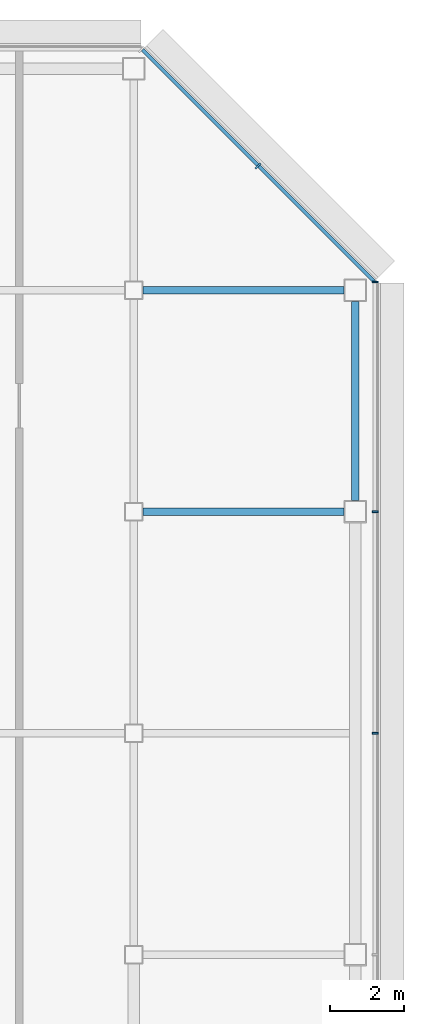
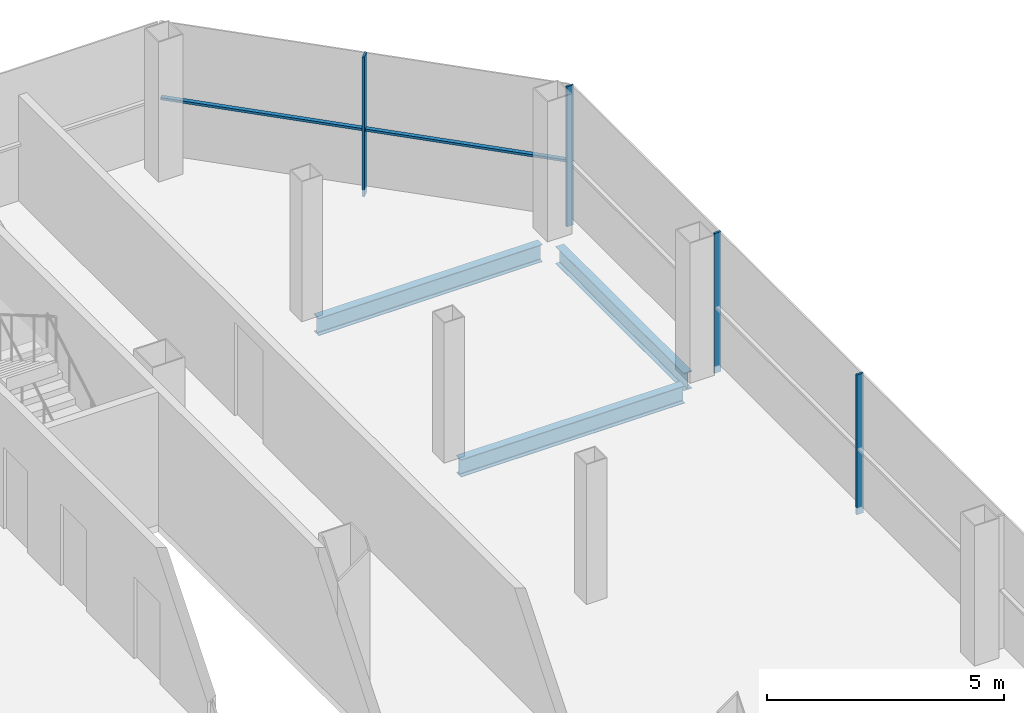
# One storey, part 19 of 28: 5 members, 3 beams, 2 elements without a shape of their own.
"""IFC4 building model written with IfcOpenShell, lengths in metres."""

from ifc_helpers import new_model, si_unit, direction, frame, origin, origin_2d, place, context, subcontext, project, spatial, rectangle, i_section, extrude, material, material_profile, profile_set, type_object, element, aggregate, save


model = new_model("IFC4")

# Units and contexts
model_context = context("Model", 3, precision=1e-05, world=origin(), true_north=direction((0.0, 1.0)))
body_context = subcontext(model_context, "Body", "Model", "MODEL_VIEW")
ifc_project = project(units=[si_unit("LENGTHUNIT", "METRE"), si_unit("AREAUNIT", "SQUARE_METRE"), si_unit("VOLUMEUNIT", "CUBIC_METRE"), si_unit("PLANEANGLEUNIT", "RADIAN"), si_unit("MASSUNIT", "GRAM", prefix="KILO")], contexts=[model_context])

# Site, building, storey
site_placement = place(None, origin())
site = spatial("IfcSite", under=ifc_project, at=site_placement, CompositionType="ELEMENT")
building_placement = place(site_placement, origin())
building = spatial("IfcBuilding", under=site, at=building_placement, Name="Sorahane Residences", CompositionType="ELEMENT")
storey_placement = place(building_placement, frame((0.0, 0.0, 266.60009765625)))
storey = spatial("IfcBuildingStorey", under=building, at=storey_placement, Name="L63", CompositionType="ELEMENT", Elevation=266.60009765625)

# Curtain wall, members
ifc_material_1 = material(Name="Dark low-e glass and black anodised aluminium", Category="aluminium")
curtain_wall_type_1 = type_object("IfcCurtainWallType", Name="Curtain wall CW-1 Typical unitised wall", PredefinedType="NOTDEFINED", material=ifc_material_1)
curtain_wall_1_placement = place(storey_placement, origin())
curtain_wall_1 = element("IfcCurtainWall", 1, at=curtain_wall_1_placement, inside=storey, type_object=curtain_wall_type_1, Name="CW-1 curtain wall L63 E1", PredefinedType="NOTDEFINED")
ifc_material_2 = material(Name="Black anodised aluminium", Category="aluminium")
ifc_material_profile_1 = material_profile(ifc_material_2, rectangle(XDim=0.159912109375, YDim=0.050048828125, at=origin_2d()), Name="Curtain wall mullion CW-1 black anodised aluminium 50x160")
ifc_profile_set_1 = profile_set([ifc_material_profile_1], Name="Black anodised aluminium")
member_type_1 = type_object("IfcMemberType", Name="Curtain wall mullion CW-1 black anodised aluminium 50x160", PredefinedType="MULLION", material=ifc_profile_set_1)
member_1_placement = place(storey_placement, frame((54.5400390625, 30.0, -0.18017578125), z_axis=(0.0, 0.0, 1.0), x_axis=(1.0, 0.0, 0.0)))
member_1 = element("IfcMember", 2, at=member_1_placement, type_object=member_type_1, Name="CW-1 mullion L63 E1.5", PredefinedType="MULLION", context=body_context, shape_type="SweptSolid", body=[
    extrude(rectangle(XDim=0.159912109375, YDim=0.050048828125, at=origin_2d()), origin(), (0.0, 0.0, 1.0), 3.60009765625),
])
member_2_placement = place(storey_placement, frame((54.5400390625, 36.0, -0.18017578125), z_axis=(0.0, 0.0, 1.0), x_axis=(1.0, 0.0, 0.0)))
member_2 = element("IfcMember", 3, at=member_2_placement, type_object=member_type_1, Name="CW-1 mullion L63 E1.6", PredefinedType="MULLION", context=body_context, shape_type="SweptSolid", body=[
    extrude(rectangle(XDim=0.159912109375, YDim=0.050048828125, at=origin_2d()), origin(), (0.0, 0.0, 1.0), 3.60009765625),
])
member_3_placement = place(storey_placement, frame((54.5400390625, 42.2236328125, -0.18017578125), z_axis=(0.0, 0.0, 1.0), x_axis=(1.0, 0.0, 0.0)))
member_3 = element("IfcMember", 4, at=member_3_placement, type_object=member_type_1, Name="CW-1 mullion L63 E1.7", PredefinedType="MULLION", context=body_context, shape_type="SweptSolid", body=[
    extrude(rectangle(XDim=0.159912109375, YDim=0.050048828125, at=origin_2d()), origin(), (0.0, 0.0, 1.0), 3.60009765625),
])
aggregate(curtain_wall_1, [member_1, member_2, member_3])

ifc_material_3 = material(Name="Dark low-e glass and black anodised aluminium", Category="aluminium")
curtain_wall_type_2 = type_object("IfcCurtainWallType", Name="Curtain wall CW-2 Chamfer unitised wall", PredefinedType="NOTDEFINED", material=ifc_material_3)
curtain_wall_2_placement = place(storey_placement, origin())
curtain_wall_2 = element("IfcCurtainWall", 5, at=curtain_wall_2_placement, inside=storey, type_object=curtain_wall_type_2, Name="CW-2 curtain wall L63 NE1", PredefinedType="NOTDEFINED")
ifc_material_4 = material(Name="Black anodised aluminium", Category="aluminium")
ifc_material_profile_2 = material_profile(ifc_material_4, rectangle(XDim=0.199951171875, YDim=0.050048828125, at=origin_2d()), Name="Curtain wall mullion CW-2 black anodised aluminium 50x200")
ifc_profile_set_2 = profile_set([ifc_material_profile_2], Name="Black anodised aluminium")
member_type_2 = type_object("IfcMemberType", Name="Curtain wall mullion CW-2 black anodised aluminium 50x200", PredefinedType="MULLION", material=ifc_profile_set_2)
member_4_placement = place(storey_placement, frame((51.36767578125, 45.36767578125, -0.18017578125), z_axis=(0.0, 0.0, 1.0), x_axis=(0.707106781187, 0.707106781187, 0.0)))
member_4 = element("IfcMember", 6, at=member_4_placement, type_object=member_type_2, Name="CW-2 mullion L63 NE1.2", PredefinedType="MULLION", context=body_context, shape_type="SweptSolid", body=[
    extrude(rectangle(XDim=0.199951171875, YDim=0.050048828125, at=origin_2d()), origin(), (0.0, 0.0, 1.0), 3.60009765625),
])
ifc_material_5 = material(Name="Black anodised aluminium", Category="aluminium")
ifc_material_profile_3 = material_profile(ifc_material_5, rectangle(XDim=0.10009765625, YDim=0.06005859375, at=origin_2d()), Name="Curtain wall transom CW-2 black anodised aluminium 60x100")
ifc_profile_set_3 = profile_set([ifc_material_profile_3], Name="Black anodised aluminium")
member_type_3 = type_object("IfcMemberType", Name="Curtain wall transom CW-2 black anodised aluminium 60x100", PredefinedType="USERDEFINED", material=ifc_profile_set_3)
member_5_placement = place(storey_placement, frame((54.51513671875, 42.234375, 1.5), z_axis=(-0.707106781187, 0.707106781187, 0.0), x_axis=(-0.707106781187, -0.707106781187, 0.0)))
member_5 = element("IfcMember", 7, at=member_5_placement, type_object=member_type_3, Name="CW-2 transom L63 NE1", ObjectType="TRANSOM", PredefinedType="USERDEFINED", context=body_context, shape_type="SweptSolid", body=[
    extrude(rectangle(XDim=0.10009765625, YDim=0.06005859375, at=origin_2d()), origin(), (0.0, 0.0, 1.0), 8.88232421875),
])
aggregate(curtain_wall_2, [member_4, member_5])

# Beams
ifc_material_6 = material(Name="Steel Q355B", Category="steel")
ifc_material_profile_4 = material_profile(ifc_material_6, i_section(OverallWidth=0.199951171875, OverallDepth=0.449951171875, WebThickness=0.009033203125, FlangeThickness=0.013916015625, FilletRadius=0.02001953125, at=origin_2d()), Name="HN 450x200x9x14")
ifc_profile_set_4 = profile_set([ifc_material_profile_4], Name="Steel Q355B")
beam_type = type_object("IfcBeamType", Name="Steel floor beam HN 450x200x9x14 Q355B", PredefinedType="BEAM", material=ifc_profile_set_4)
beam_1_placement = place(storey_placement, frame((48.25, 36.0, -0.405029296875), z_axis=(1.0, 0.0, 0.0), x_axis=(0.0, 1.0, 0.0)))
element("IfcBeam", 8, at=beam_1_placement, inside=storey, type_object=beam_type, Name="Beam L63 014", PredefinedType="BEAM", context=body_context, shape_type="SweptSolid", body=[
    extrude(i_section(OverallWidth=0.199951171875, OverallDepth=0.449951171875, WebThickness=0.009033203125, FlangeThickness=0.013916015625, FilletRadius=0.02001953125, at=origin_2d()), origin(), (0.0, 0.0, 1.0), 5.449951171875),
])
beam_2_placement = place(storey_placement, frame((54.0, 36.300048828125, -0.405029296875), z_axis=(0.0, 1.0, 0.0), x_axis=(-1.0, 0.0, 0.0)))
element("IfcBeam", 9, at=beam_2_placement, inside=storey, type_object=beam_type, Name="Beam L63 067", PredefinedType="BEAM", context=body_context, shape_type="SweptSolid", body=[
    extrude(i_section(OverallWidth=0.199951171875, OverallDepth=0.449951171875, WebThickness=0.009033203125, FlangeThickness=0.013916015625, FilletRadius=0.02001953125, at=origin_2d()), origin(), (0.0, 0.0, 1.0), 5.39990234375),
])
beam_3_placement = place(storey_placement, frame((48.25, 42.0, -0.405029296875), z_axis=(1.0, 0.0, 0.0), x_axis=(0.0, 1.0, 0.0)))
element("IfcBeam", 10, at=beam_3_placement, inside=storey, type_object=beam_type, Name="Beam L63 092", PredefinedType="BEAM", context=body_context, shape_type="SweptSolid", body=[
    extrude(i_section(OverallWidth=0.199951171875, OverallDepth=0.449951171875, WebThickness=0.009033203125, FlangeThickness=0.013916015625, FilletRadius=0.02001953125, at=origin_2d()), origin(), (0.0, 0.0, 1.0), 5.449951171875),
])

save(model, "model.ifc")
